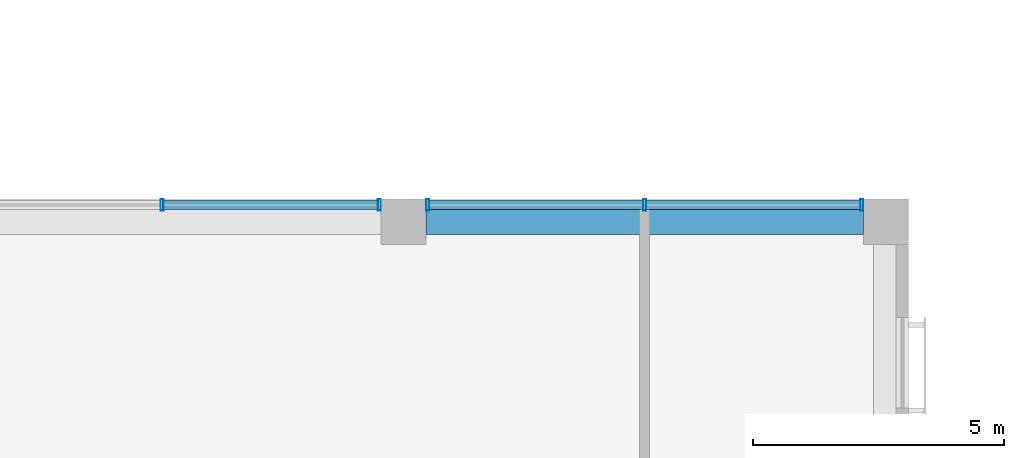
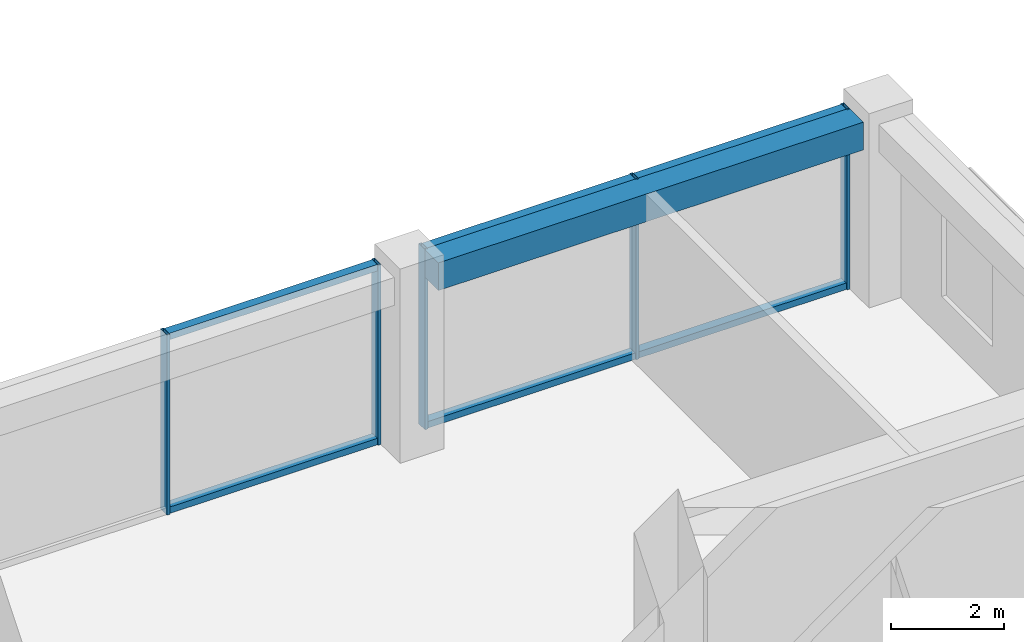
# One storey, part 24 of 36: 11 members, 1 beam, 2 elements without a shape of their own.
"""IFC4 building model written with IfcOpenShell, lengths in metres."""

from ifc_helpers import new_model, si_unit, direction, frame, origin, origin_2d, place, context, subcontext, project, spatial, rectangle, hollow_rectangle, extrude, material, layer, layer_set, material_profile, profile_set, type_object, element, aggregate, save


model = new_model("IFC4")

# Units and contexts
model_context = context("Model", 3, precision=1e-05, world=origin(), true_north=direction((0.0, 1.0)))
body_context = subcontext(model_context, "Body", "Model", "MODEL_VIEW")
ifc_project = project(units=[si_unit("LENGTHUNIT", "METRE"), si_unit("AREAUNIT", "SQUARE_METRE"), si_unit("VOLUMEUNIT", "CUBIC_METRE"), si_unit("PLANEANGLEUNIT", "RADIAN"), si_unit("MASSUNIT", "GRAM", prefix="KILO")], contexts=[model_context])

# Site, building, storey
site_placement = place(None, origin())
site = spatial("IfcSite", under=ifc_project, at=site_placement, CompositionType="ELEMENT")
building_placement = place(site_placement, origin())
building = spatial("IfcBuilding", under=site, at=building_placement, Name="Nzadi Deep Aquarium and Research Tower", CompositionType="ELEMENT")
storey_placement = place(building_placement, frame((0.0, 0.0, 44.5)))
storey = spatial("IfcBuildingStorey", under=building, at=storey_placement, Name="L08", CompositionType="ELEMENT", Elevation=44.5)

# Curtain wall, members
ifc_material_1 = material(Name="Aluminium unitised frame deep", Category="aluminium")
ifc_layer = layer(ifc_material_1, 0.22509765625)
ifc_layer_set = layer_set([ifc_layer], Name="Aluminium unitised frame deep")
curtain_wall_type = type_object("IfcCurtainWallType", Name="Curtain wall Unitised Deep 225", PredefinedType="NOTDEFINED", material=ifc_layer_set)
curtain_wall_1_placement = place(storey_placement, origin())
curtain_wall_1 = element("IfcCurtainWall", 1, at=curtain_wall_1_placement, inside=storey, type_object=curtain_wall_type, Name="Unitised curtain wall blade B north L08", PredefinedType="NOTDEFINED")
ifc_material_2 = material(Name="Aluminium unitised frame deep", Category="aluminium")
ifc_material_profile_1 = material_profile(ifc_material_2, hollow_rectangle(XDim=0.22509765625, YDim=0.06005859375, WallThickness=0.0048828125, at=origin_2d()))
ifc_profile_set_1 = profile_set([ifc_material_profile_1], Name="Aluminium unitised frame deep")
member_type_1 = type_object("IfcMemberType", Name="Mullion 60x225 Unitised Deep", PredefinedType="MULLION", material=ifc_profile_set_1)
member_1_placement = place(storey_placement, frame((33.60009765625, 46.33740234375, 0.0), z_axis=(0.0, 0.0, 1.0), x_axis=(0.0, 1.0, 0.0)))
member_1 = element("IfcMember", 2, at=member_1_placement, type_object=member_type_1, Name="CW116 mullion 2", PredefinedType="MULLION", context=body_context, shape_type="SweptSolid", body=[
    extrude(hollow_rectangle(XDim=0.22509765625, YDim=0.06005859375, WallThickness=0.0048828125, at=origin_2d()), origin(), (0.0, 0.0, 1.0), 3.89990234375),
])
member_2_placement = place(storey_placement, frame((37.919921875, 46.33740234375, 0.0), z_axis=(0.0, 0.0, 1.0), x_axis=(0.0, 1.0, 0.0)))
member_2 = element("IfcMember", 3, at=member_2_placement, type_object=member_type_1, Name="CW116 mullion 3", PredefinedType="MULLION", context=body_context, shape_type="SweptSolid", body=[
    extrude(hollow_rectangle(XDim=0.22509765625, YDim=0.06005859375, WallThickness=0.0048828125, at=origin_2d()), origin(), (0.0, 0.0, 1.0), 3.89990234375),
])

curtain_wall_2_placement = place(storey_placement, origin())
curtain_wall_2 = element("IfcCurtainWall", 4, at=curtain_wall_2_placement, inside=storey, type_object=curtain_wall_type, Name="Unitised curtain wall blade B north L08", PredefinedType="NOTDEFINED")
member_3_placement = place(storey_placement, frame((38.8798828125, 46.33740234375, 0.0), z_axis=(0.0, 0.0, 1.0), x_axis=(0.0, 1.0, 0.0)))
member_3 = element("IfcMember", 5, at=member_3_placement, type_object=member_type_1, Name="CW117 mullion 1", PredefinedType="MULLION", context=body_context, shape_type="SweptSolid", body=[
    extrude(hollow_rectangle(XDim=0.22509765625, YDim=0.06005859375, WallThickness=0.0048828125, at=origin_2d()), origin(), (0.0, 0.0, 1.0), 3.89990234375),
])
member_4_placement = place(storey_placement, frame((43.199951171875, 46.33740234375, 0.0), z_axis=(0.0, 0.0, 1.0), x_axis=(0.0, 1.0, 0.0)))
member_4 = element("IfcMember", 6, at=member_4_placement, type_object=member_type_1, Name="CW117 mullion 2", PredefinedType="MULLION", context=body_context, shape_type="SweptSolid", body=[
    extrude(hollow_rectangle(XDim=0.22509765625, YDim=0.06005859375, WallThickness=0.0048828125, at=origin_2d()), origin(), (0.0, 0.0, 1.0), 3.89990234375),
])
member_5_placement = place(storey_placement, frame((47.52001953125, 46.33740234375, 0.0), z_axis=(0.0, 0.0, 1.0), x_axis=(0.0, 1.0, 0.0)))
member_5 = element("IfcMember", 7, at=member_5_placement, type_object=member_type_1, Name="CW117 mullion 3", PredefinedType="MULLION", context=body_context, shape_type="SweptSolid", body=[
    extrude(hollow_rectangle(XDim=0.22509765625, YDim=0.06005859375, WallThickness=0.0048828125, at=origin_2d()), origin(), (0.0, 0.0, 1.0), 3.89990234375),
])

# Beam
ifc_material_3 = material(Name="Concrete C35/45", Category="concrete")
ifc_material_profile_2 = material_profile(ifc_material_3, rectangle(XDim=0.5, YDim=0.60009765625, at=origin_2d()))
ifc_profile_set_2 = profile_set([ifc_material_profile_2], Name="Concrete C35/45")
beam_type = type_object("IfcBeamType", Name="RC 500x600", PredefinedType="BEAM", material=ifc_profile_set_2)
beam_placement = place(storey_placement, frame((38.85009765625, 46.0, 3.60009765625), z_axis=(1.0, 0.0, 0.0), x_axis=(0.0, 1.0, 0.0)))
element("IfcBeam", 8, at=beam_placement, inside=storey, type_object=beam_type, Name="B-Z1-L08-L6-5", PredefinedType="BEAM", context=body_context, shape_type="SweptSolid", body=[
    extrude(rectangle(XDim=0.5, YDim=0.60009765625, at=origin_2d()), origin(), (0.0, 0.0, 1.0), 8.699951171875),
])

# Member
ifc_material_4 = material(Name="Aluminium unitised frame deep", Category="aluminium")
ifc_material_profile_3 = material_profile(ifc_material_4, hollow_rectangle(XDim=0.179931640625, YDim=0.139892578125, WallThickness=0.0048828125, at=origin_2d()))
ifc_profile_set_3 = profile_set([ifc_material_profile_3], Name="Aluminium unitised frame deep")
member_type_2 = type_object("IfcMemberType", Name="Transom 140x180 Unitised Deep", PredefinedType="MULLION", material=ifc_profile_set_3)
member_6_placement = place(storey_placement, frame((33.6298828125, 46.33740234375, 0.070068359375), z_axis=(1.0, 0.0, 0.0), x_axis=(0.0, 1.0, 0.0)))
member_6 = element("IfcMember", 9, at=member_6_placement, type_object=member_type_2, Name="CW116 transom 2.1", PredefinedType="MULLION", context=body_context, shape_type="SweptSolid", body=[
    extrude(hollow_rectangle(XDim=0.179931640625, YDim=0.139892578125, WallThickness=0.0048828125, at=origin_2d()), origin(), (0.0, 0.0, 1.0), 4.260009765625),
])

member_7_placement = place(storey_placement, frame((33.6298828125, 46.33740234375, 3.830078125), z_axis=(1.0, 0.0, 0.0), x_axis=(0.0, 1.0, 0.0)))
member_7 = element("IfcMember", 10, at=member_7_placement, type_object=member_type_2, Name="CW116 transom 2.2", PredefinedType="MULLION", context=body_context, shape_type="SweptSolid", body=[
    extrude(hollow_rectangle(XDim=0.179931640625, YDim=0.139892578125, WallThickness=0.0048828125, at=origin_2d()), origin(), (0.0, 0.0, 1.0), 4.260009765625),
])

aggregate(curtain_wall_1, [member_1, member_2, member_6, member_7])

member_8_placement = place(storey_placement, frame((38.909912109375, 46.33740234375, 0.070068359375), z_axis=(1.0, 0.0, 0.0), x_axis=(0.0, 1.0, 0.0)))
member_8 = element("IfcMember", 11, at=member_8_placement, type_object=member_type_2, Name="CW117 transom 1.1", PredefinedType="MULLION", context=body_context, shape_type="SweptSolid", body=[
    extrude(hollow_rectangle(XDim=0.179931640625, YDim=0.139892578125, WallThickness=0.0048828125, at=origin_2d()), origin(), (0.0, 0.0, 1.0), 4.260009765625),
])

member_9_placement = place(storey_placement, frame((38.909912109375, 46.33740234375, 3.830078125), z_axis=(1.0, 0.0, 0.0), x_axis=(0.0, 1.0, 0.0)))
member_9 = element("IfcMember", 12, at=member_9_placement, type_object=member_type_2, Name="CW117 transom 1.2", PredefinedType="MULLION", context=body_context, shape_type="SweptSolid", body=[
    extrude(hollow_rectangle(XDim=0.179931640625, YDim=0.139892578125, WallThickness=0.0048828125, at=origin_2d()), origin(), (0.0, 0.0, 1.0), 4.260009765625),
])

member_10_placement = place(storey_placement, frame((43.22998046875, 46.33740234375, 0.070068359375), z_axis=(1.0, 0.0, 0.0), x_axis=(0.0, 1.0, 0.0)))
member_10 = element("IfcMember", 13, at=member_10_placement, type_object=member_type_2, Name="CW117 transom 2.1", PredefinedType="MULLION", context=body_context, shape_type="SweptSolid", body=[
    extrude(hollow_rectangle(XDim=0.179931640625, YDim=0.139892578125, WallThickness=0.0048828125, at=origin_2d()), origin(), (0.0, 0.0, 1.0), 4.260009765625),
])

member_11_placement = place(storey_placement, frame((43.22998046875, 46.33740234375, 3.830078125), z_axis=(1.0, 0.0, 0.0), x_axis=(0.0, 1.0, 0.0)))
member_11 = element("IfcMember", 14, at=member_11_placement, type_object=member_type_2, Name="CW117 transom 2.2", PredefinedType="MULLION", context=body_context, shape_type="SweptSolid", body=[
    extrude(hollow_rectangle(XDim=0.179931640625, YDim=0.139892578125, WallThickness=0.0048828125, at=origin_2d()), origin(), (0.0, 0.0, 1.0), 4.260009765625),
])

aggregate(curtain_wall_2, [member_3, member_4, member_5, member_8, member_9, member_10, member_11])

save(model, "model.ifc")
